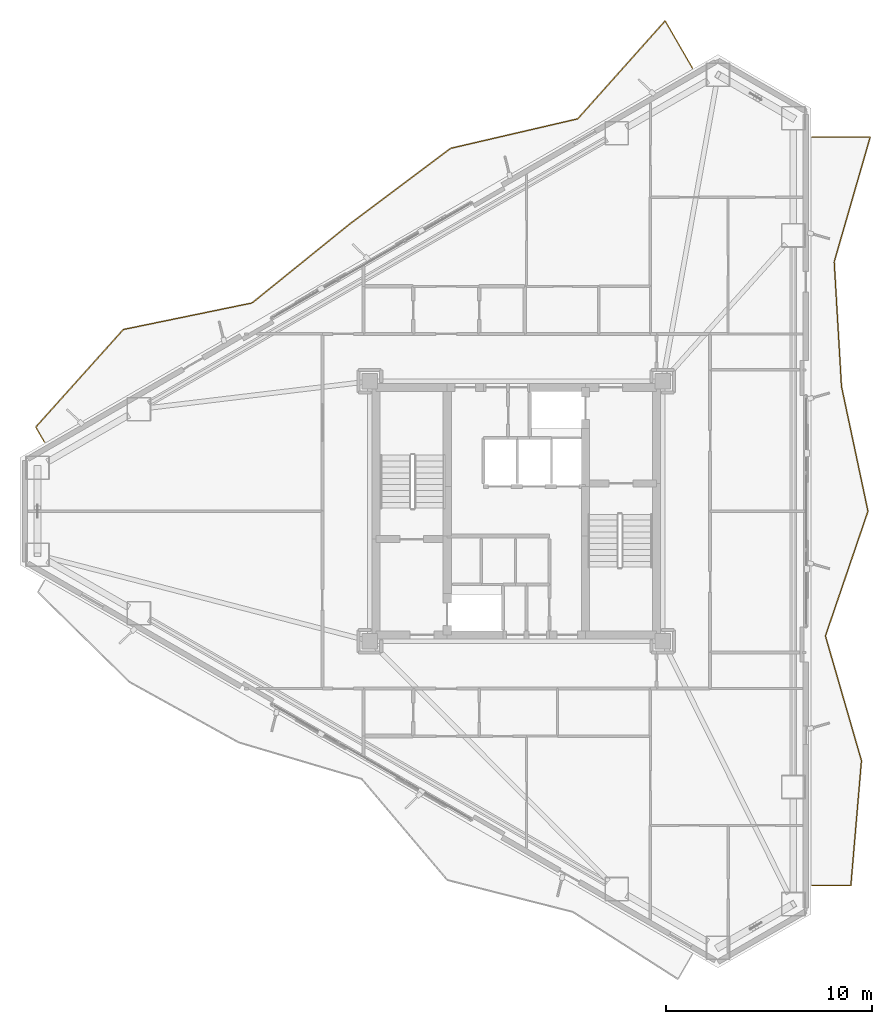
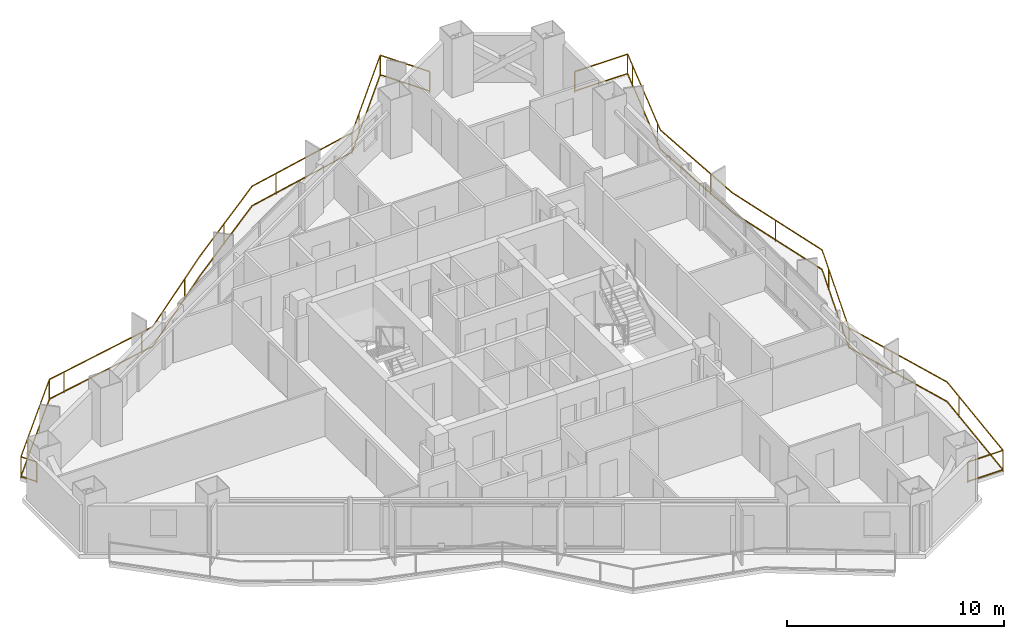
# One storey, part 22 of 22: 2 railings.
"""IFC4 building model written with IfcOpenShell, lengths in metres."""

from ifc_helpers import new_model, si_unit, direction, frame, origin, origin_2d, place, context, subcontext, project, spatial, rectangle, extrude, material, type_object, element, save


model = new_model("IFC4")

# Units and contexts
model_context = context("Model", 3, precision=1e-05, world=origin(), true_north=direction((0.0, 1.0)))
body_context = subcontext(model_context, "Body", "Model", "MODEL_VIEW")
ifc_project = project(units=[si_unit("LENGTHUNIT", "METRE"), si_unit("AREAUNIT", "SQUARE_METRE"), si_unit("VOLUMEUNIT", "CUBIC_METRE"), si_unit("PLANEANGLEUNIT", "RADIAN"), si_unit("MASSUNIT", "GRAM", prefix="KILO")], contexts=[model_context])

# Site, building, storey
site_placement = place(None, origin())
site = spatial("IfcSite", under=ifc_project, at=site_placement, CompositionType="ELEMENT")
building_placement = place(site_placement, origin())
building = spatial("IfcBuilding", under=site, at=building_placement, Name="Mersakhor Tower and Convention Hall", CompositionType="ELEMENT")
storey_placement = place(building_placement, frame((0.0, 0.0, 113.10009765625)))
storey = spatial("IfcBuildingStorey", under=building, at=storey_placement, Name="L31", CompositionType="ELEMENT", Elevation=113.10009765625)

# Railings
ifc_material = material(Name="Powder-coated galvanised steel and laminated glass balustrade", Category="steel")
railing_type = type_object("IfcRailingType", Name="RL-BAL-1200", PredefinedType="BALUSTRADE", material=ifc_material)
railing_1_placement = place(storey_placement, frame((37.541259765625, 48.2333984375, 0.0)))
element("IfcRailing", 1, at=railing_1_placement, inside=storey, type_object=railing_type, Name="L31 Sinusoidal Balcony Balustrade F1", PredefinedType="BALUSTRADE", context=body_context, shape_type="SweptSolid", body=[
    extrude(rectangle(XDim=0.048095703125, YDim=0.048095703125, at=origin_2d()), frame((0.0, 0.0, 1.17578125), z_axis=(-0.500012919964, 0.866017944311, 0.0), x_axis=(-0.866017944311, -0.500012919964, 0.0)), (0.0, 0.0, 1.0), 2.6435546875),
    extrude(rectangle(XDim=0.048095703125, YDim=0.048095703125, at=origin_2d()), frame((0.0, 0.0, 0.080078125), z_axis=(-0.500012919964, 0.866017944311, 0.0), x_axis=(-0.866017944311, -0.500012919964, 0.0)), (0.0, 0.0, 1.0), 2.6435546875),
    extrude(rectangle(XDim=0.048095703125, YDim=0.048095703125, at=origin_2d()), frame((-1.32177734375, 2.289306640625, 1.17578125), z_axis=(-0.665916694954, -0.746026109049, 0.0), x_axis=(0.746026109049, -0.665916694954, 0.0)), (0.0, 0.0, 1.0), 6.366455078125),
    extrude(rectangle(XDim=0.048095703125, YDim=0.048095703125, at=origin_2d()), frame((-1.32177734375, 2.289306640625, 0.080078125), z_axis=(-0.665916694954, -0.746026109049, 0.0), x_axis=(0.746026109049, -0.665916694954, 0.0)), (0.0, 0.0, 1.0), 6.366455078125),
    extrude(rectangle(XDim=0.048095703125, YDim=0.048095703125, at=origin_2d()), frame((-5.561279296875, -2.460205078125, 1.17578125), z_axis=(-0.974124238813, -0.226013201733, 0.0), x_axis=(0.226013201733, -0.974124238813, 0.0)), (0.0, 0.0, 1.0), 6.3203125),
    extrude(rectangle(XDim=0.048095703125, YDim=0.048095703125, at=origin_2d()), frame((-5.561279296875, -2.460205078125, 0.080078125), z_axis=(-0.974124238813, -0.226013201733, 0.0), x_axis=(0.226013201733, -0.974124238813, 0.0)), (0.0, 0.0, 1.0), 6.3203125),
    extrude(rectangle(XDim=0.048095703125, YDim=0.048095703125, at=origin_2d()), frame((-11.718017578125, -3.888671875, 1.17578125), z_axis=(-0.800317416975, -0.599576543976, 0.0), x_axis=(0.599576543976, -0.800317416975, 0.0)), (0.0, 0.0, 1.0), 6.089599609375),
    extrude(rectangle(XDim=0.048095703125, YDim=0.048095703125, at=origin_2d()), frame((-11.718017578125, -3.888671875, 0.080078125), z_axis=(-0.800317416975, -0.599576543976, 0.0), x_axis=(0.599576543976, -0.800317416975, 0.0)), (0.0, 0.0, 1.0), 6.089599609375),
    extrude(rectangle(XDim=0.048095703125, YDim=0.048095703125, at=origin_2d()), frame((-16.591552734375, -7.539794921875, 1.17578125), z_axis=(-0.777698901096, -0.628636953443, 0.0), x_axis=(0.628636953443, -0.777698901096, 0.0)), (0.0, 0.0, 1.0), 6.12060546875),
    extrude(rectangle(XDim=0.048095703125, YDim=0.048095703125, at=origin_2d()), frame((-16.591552734375, -7.539794921875, 0.080078125), z_axis=(-0.777698901096, -0.628636953443, 0.0), x_axis=(0.628636953443, -0.777698901096, 0.0)), (0.0, 0.0, 1.0), 6.12060546875),
    extrude(rectangle(XDim=0.048095703125, YDim=0.048095703125, at=origin_2d()), frame((-21.3515625, -11.387451171875, 1.17578125), z_axis=(-0.979417174725, -0.201846470997, 0.0), x_axis=(0.201846470997, -0.979417174725, 0.0)), (0.0, 0.0, 1.0), 6.37060546875),
    extrude(rectangle(XDim=0.048095703125, YDim=0.048095703125, at=origin_2d()), frame((-21.3515625, -11.387451171875, 0.080078125), z_axis=(-0.979417174725, -0.201846470997, 0.0), x_axis=(0.201846470997, -0.979417174725, 0.0)), (0.0, 0.0, 1.0), 6.37060546875),
    extrude(rectangle(XDim=0.048095703125, YDim=0.048095703125, at=origin_2d()), frame((-27.591064453125, -12.67333984375, 1.17578125), z_axis=(-0.667903745275, -0.744247665127, 0.0), x_axis=(0.744247665127, -0.667903745275, 0.0)), (0.0, 0.0, 1.0), 6.360595703125),
    extrude(rectangle(XDim=0.048095703125, YDim=0.048095703125, at=origin_2d()), frame((-27.591064453125, -12.67333984375, 0.080078125), z_axis=(-0.667903745275, -0.744247665127, 0.0), x_axis=(0.744247665127, -0.667903745275, 0.0)), (0.0, 0.0, 1.0), 6.360595703125),
    extrude(rectangle(XDim=0.048095703125, YDim=0.048095703125, at=origin_2d()), frame((-31.83935546875, -17.4072265625, 1.17578125), z_axis=(0.499839240638, -0.866118198353, 0.0), x_axis=(0.866118198353, 0.499839240638, 0.0)), (0.0, 0.0, 1.0), 0.844482421875),
    extrude(rectangle(XDim=0.048095703125, YDim=0.048095703125, at=origin_2d()), frame((-31.83935546875, -17.4072265625, 0.080078125), z_axis=(0.499839240638, -0.866118198353, 0.0), x_axis=(0.866118198353, 0.499839240638, 0.0)), (0.0, 0.0, 1.0), 0.844482421875),
    extrude(rectangle(XDim=0.0419921875, YDim=0.0419921875, at=origin_2d()), origin(), (0.0, 0.0, 1.0), 1.15185546875),
    extrude(rectangle(XDim=0.0419921875, YDim=0.0419921875, at=origin_2d()), frame((-1.32177734375, 2.289306640625, 0.0)), (0.0, 0.0, 1.0), 1.15185546875),
    extrude(rectangle(XDim=0.0419921875, YDim=0.0419921875, at=origin_2d()), frame((-4.51806640625, -1.29150390625, 0.0)), (0.0, 0.0, 1.0), 1.15185546875),
    extrude(rectangle(XDim=0.0419921875, YDim=0.0419921875, at=origin_2d()), frame((-5.561279296875, -2.460205078125, 0.0)), (0.0, 0.0, 1.0), 1.15185546875),
    extrude(rectangle(XDim=0.0419921875, YDim=0.0419921875, at=origin_2d()), frame((-10.237060546875, -3.545166015625, 0.0)), (0.0, 0.0, 1.0), 1.15185546875),
    extrude(rectangle(XDim=0.0419921875, YDim=0.0419921875, at=origin_2d()), frame((-14.3427734375, -5.855224609375, 0.0)), (0.0, 0.0, 1.0), 1.15185546875),
    extrude(rectangle(XDim=0.0419921875, YDim=0.0419921875, at=origin_2d()), frame((-18.139404296875, -8.791015625, 0.0)), (0.0, 0.0, 1.0), 1.15185546875),
    extrude(rectangle(XDim=0.0419921875, YDim=0.0419921875, at=origin_2d()), frame((-22.00732421875, -11.522705078125, 0.0)), (0.0, 0.0, 1.0), 1.15185546875),
    extrude(rectangle(XDim=0.0419921875, YDim=0.0419921875, at=origin_2d()), frame((-26.70849609375, -12.491455078125, 0.0)), (0.0, 0.0, 1.0), 1.15185546875),
    extrude(rectangle(XDim=0.0419921875, YDim=0.0419921875, at=origin_2d()), frame((-27.591064453125, -12.67333984375, 0.0)), (0.0, 0.0, 1.0), 1.15185546875),
    extrude(rectangle(XDim=0.0419921875, YDim=0.0419921875, at=origin_2d()), frame((-30.797119140625, -16.245849609375, 0.0)), (0.0, 0.0, 1.0), 1.15185546875),
    extrude(rectangle(XDim=0.0419921875, YDim=0.0419921875, at=origin_2d()), frame((-31.83935546875, -17.4072265625, 0.0)), (0.0, 0.0, 1.0), 1.15185546875),
    extrude(rectangle(XDim=0.0419921875, YDim=0.0419921875, at=origin_2d()), frame((-31.417236328125, -18.138671875, 0.0)), (0.0, 0.0, 1.0), 1.15185546875),
])
railing_2_placement = place(storey_placement, frame((43.334716796875, 8.611328125, 0.0)))
element("IfcRailing", 2, at=railing_2_placement, inside=storey, type_object=railing_type, Name="L31 Sinusoidal Balcony Balustrade F2", PredefinedType="BALUSTRADE", context=body_context, shape_type="SweptSolid", body=[
    extrude(rectangle(XDim=0.048095703125, YDim=0.048095703125, at=origin_2d()), frame((0.0, 0.0, 1.17578125), z_axis=(1.0, 0.0, 0.0), x_axis=(0.0, 1.0, 0.0)), (0.0, 0.0, 1.0), 1.884033203125),
    extrude(rectangle(XDim=0.048095703125, YDim=0.048095703125, at=origin_2d()), frame((0.0, 0.0, 0.080078125), z_axis=(1.0, 0.0, 0.0), x_axis=(0.0, 1.0, 0.0)), (0.0, 0.0, 1.0), 1.884033203125),
    extrude(rectangle(XDim=0.048095703125, YDim=0.048095703125, at=origin_2d()), frame((1.884033203125, 0.0, 1.17578125), z_axis=(0.084613700209, 0.996413830563, 0.0), x_axis=(-0.996413830563, 0.084613700209, 0.0)), (0.0, 0.0, 1.0), 6.06787109375),
    extrude(rectangle(XDim=0.048095703125, YDim=0.048095703125, at=origin_2d()), frame((1.884033203125, 0.0, 0.080078125), z_axis=(0.084613700209, 0.996413830563, 0.0), x_axis=(-0.996413830563, 0.084613700209, 0.0)), (0.0, 0.0, 1.0), 6.06787109375),
    extrude(rectangle(XDim=0.048095703125, YDim=0.048095703125, at=origin_2d()), frame((2.3974609375, 6.046142578125, 1.17578125), z_axis=(-0.277660582839, 0.960679239256, 0.0), x_axis=(-0.960679239256, -0.277660582839, 0.0)), (0.0, 0.0, 1.0), 6.2939453125),
    extrude(rectangle(XDim=0.048095703125, YDim=0.048095703125, at=origin_2d()), frame((2.3974609375, 6.046142578125, 0.080078125), z_axis=(-0.277660582839, 0.960679239256, 0.0), x_axis=(-0.960679239256, -0.277660582839, 0.0)), (0.0, 0.0, 1.0), 6.2939453125),
    extrude(rectangle(XDim=0.048095703125, YDim=0.048095703125, at=origin_2d()), frame((0.64990234375, 12.092529296875, 1.17578125), z_axis=(0.322995263869, 0.946400580895, 0.0), x_axis=(-0.946400580895, 0.322995263869, 0.0)), (0.0, 0.0, 1.0), 6.388671875),
    extrude(rectangle(XDim=0.048095703125, YDim=0.048095703125, at=origin_2d()), frame((0.64990234375, 12.092529296875, 0.080078125), z_axis=(0.322995263869, 0.946400580895, 0.0), x_axis=(-0.946400580895, 0.322995263869, 0.0)), (0.0, 0.0, 1.0), 6.388671875),
    extrude(rectangle(XDim=0.048095703125, YDim=0.048095703125, at=origin_2d()), frame((2.71337890625, 18.138671875, 1.17578125), z_axis=(-0.207724119027, 0.978187451552, 0.0), x_axis=(-0.978187451552, -0.207724119027, 0.0)), (0.0, 0.0, 1.0), 6.180908203125),
    extrude(rectangle(XDim=0.048095703125, YDim=0.048095703125, at=origin_2d()), frame((2.71337890625, 18.138671875, 0.080078125), z_axis=(-0.207724119027, 0.978187451552, 0.0), x_axis=(-0.978187451552, -0.207724119027, 0.0)), (0.0, 0.0, 1.0), 6.180908203125),
    extrude(rectangle(XDim=0.048095703125, YDim=0.048095703125, at=origin_2d()), frame((1.429443359375, 24.184814453125, 1.17578125), z_axis=(-0.058367576168, 0.998295159786, 0.0), x_axis=(-0.998295159786, -0.058367576168, 0.0)), (0.0, 0.0, 1.0), 6.056640625),
    extrude(rectangle(XDim=0.048095703125, YDim=0.048095703125, at=origin_2d()), frame((1.429443359375, 24.184814453125, 0.080078125), z_axis=(-0.058367576168, 0.998295159786, 0.0), x_axis=(-0.998295159786, -0.058367576168, 0.0)), (0.0, 0.0, 1.0), 6.056640625),
    extrude(rectangle(XDim=0.048095703125, YDim=0.048095703125, at=origin_2d()), frame((1.075927734375, 30.231201171875, 1.17578125), z_axis=(0.277133788015, 0.960831339799, 0.0), x_axis=(-0.960831339799, 0.277133788015, 0.0)), (0.0, 0.0, 1.0), 6.292724609375),
    extrude(rectangle(XDim=0.048095703125, YDim=0.048095703125, at=origin_2d()), frame((1.075927734375, 30.231201171875, 0.080078125), z_axis=(0.277133788015, 0.960831339799, 0.0), x_axis=(-0.960831339799, 0.277133788015, 0.0)), (0.0, 0.0, 1.0), 6.292724609375),
    extrude(rectangle(XDim=0.048095703125, YDim=0.048095703125, at=origin_2d()), frame((2.81982421875, 36.27734375, 1.17578125), z_axis=(-1.0, 0.0, 0.0), x_axis=(0.0, -1.0, 0.0)), (0.0, 0.0, 1.0), 2.81982421875),
    extrude(rectangle(XDim=0.048095703125, YDim=0.048095703125, at=origin_2d()), frame((2.81982421875, 36.27734375, 0.080078125), z_axis=(-1.0, 0.0, 0.0), x_axis=(0.0, -1.0, 0.0)), (0.0, 0.0, 1.0), 2.81982421875),
    extrude(rectangle(XDim=0.0419921875, YDim=0.0419921875, at=origin_2d()), origin(), (0.0, 0.0, 1.0), 1.15185546875),
    extrude(rectangle(XDim=0.0419921875, YDim=0.0419921875, at=origin_2d()), frame((1.884033203125, 0.0, 0.0)), (0.0, 0.0, 1.0), 1.15185546875),
    extrude(rectangle(XDim=0.0419921875, YDim=0.0419921875, at=origin_2d()), frame((2.290283203125, 4.78271484375, 0.0)), (0.0, 0.0, 1.0), 1.15185546875),
    extrude(rectangle(XDim=0.0419921875, YDim=0.0419921875, at=origin_2d()), frame((1.416748046875, 9.439453125, 0.0)), (0.0, 0.0, 1.0), 1.15185546875),
    extrude(rectangle(XDim=0.0419921875, YDim=0.0419921875, at=origin_2d()), frame((0.64990234375, 12.092529296875, 0.0)), (0.0, 0.0, 1.0), 1.15185546875),
    extrude(rectangle(XDim=0.0419921875, YDim=0.0419921875, at=origin_2d()), frame((2.2001953125, 16.63525390625, 0.0)), (0.0, 0.0, 1.0), 1.15185546875),
    extrude(rectangle(XDim=0.0419921875, YDim=0.0419921875, at=origin_2d()), frame((2.04638671875, 21.280029296875, 0.0)), (0.0, 0.0, 1.0), 1.15185546875),
    extrude(rectangle(XDim=0.0419921875, YDim=0.0419921875, at=origin_2d()), frame((1.322509765625, 26.01220703125, 0.0)), (0.0, 0.0, 1.0), 1.15185546875),
    extrude(rectangle(XDim=0.0419921875, YDim=0.0419921875, at=origin_2d()), frame((1.23486328125, 30.782470703125, 0.0)), (0.0, 0.0, 1.0), 1.15185546875),
    extrude(rectangle(XDim=0.0419921875, YDim=0.0419921875, at=origin_2d()), frame((2.565185546875, 35.39453125, 0.0)), (0.0, 0.0, 1.0), 1.15185546875),
    extrude(rectangle(XDim=0.0419921875, YDim=0.0419921875, at=origin_2d()), frame((2.81982421875, 36.27734375, 0.0)), (0.0, 0.0, 1.0), 1.15185546875),
    extrude(rectangle(XDim=0.0419921875, YDim=0.0419921875, at=origin_2d()), frame((0.0, 36.27734375, 0.0)), (0.0, 0.0, 1.0), 1.15185546875),
])

save(model, "model.ifc")
